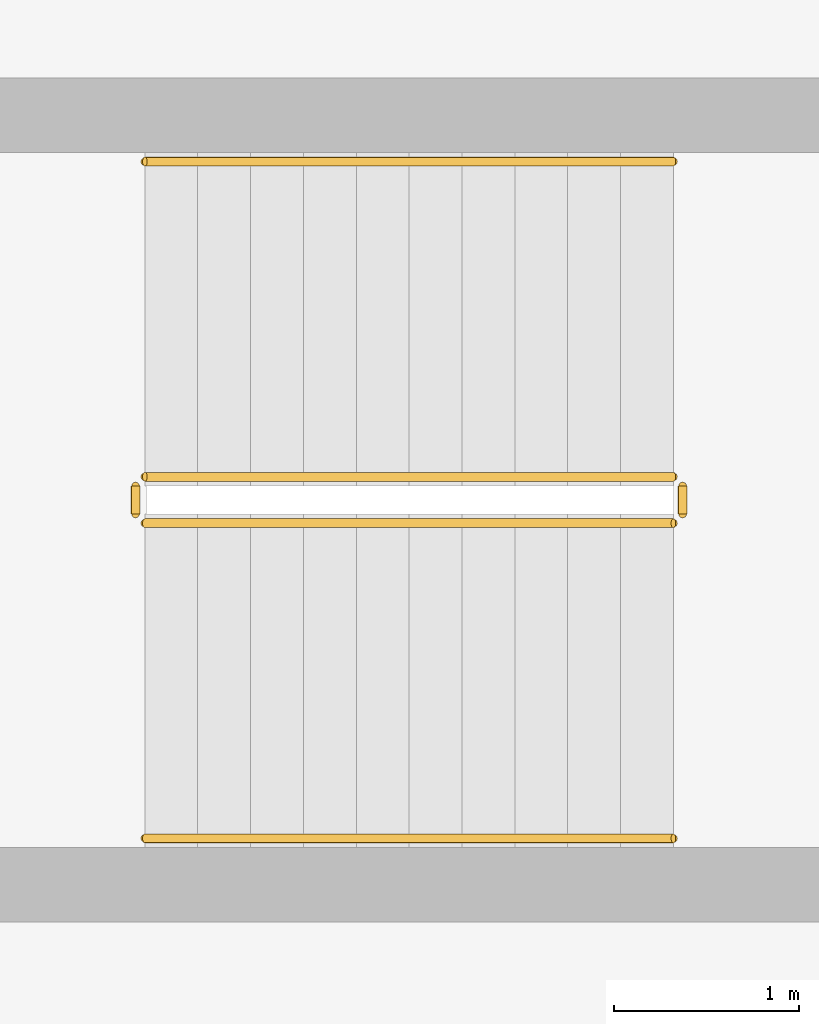
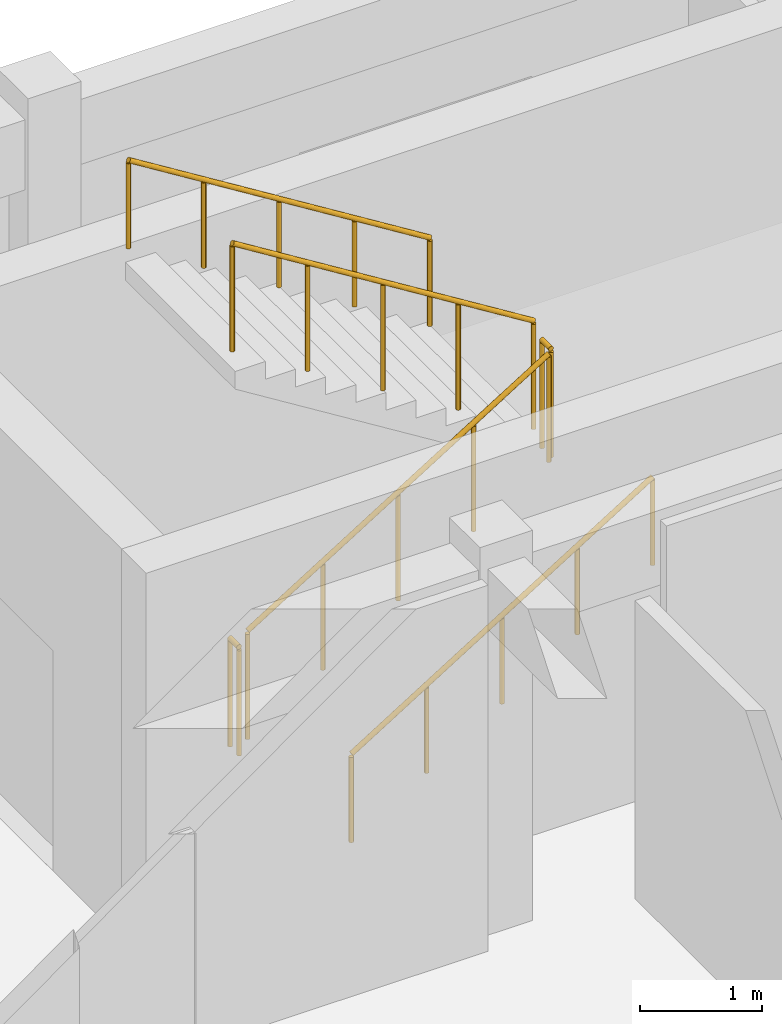
# One storey, part 6 of 6: 6 railings.
"""IFC4 building model written with IfcOpenShell, lengths in metres."""

from ifc_helpers import new_model, si_unit, direction, frame, origin, origin_2d, place, context, subcontext, project, spatial, circle, extrude, material, type_object, element, save


model = new_model("IFC4")

# Units and contexts
model_context = context("Model", 3, precision=1e-05, world=origin(), true_north=direction((0.0, 1.0)))
body_context = subcontext(model_context, "Body", "Model", "MODEL_VIEW")
ifc_project = project(units=[si_unit("LENGTHUNIT", "METRE"), si_unit("AREAUNIT", "SQUARE_METRE"), si_unit("VOLUMEUNIT", "CUBIC_METRE"), si_unit("PLANEANGLEUNIT", "RADIAN"), si_unit("MASSUNIT", "GRAM", prefix="KILO")], contexts=[model_context])

# Site, building, storey
site_placement = place(None, origin())
site = spatial("IfcSite", under=ifc_project, at=site_placement, CompositionType="ELEMENT")
building_placement = place(site_placement, origin())
building = spatial("IfcBuilding", under=site, at=building_placement, Name="Brisavento Harbour Community Centre", CompositionType="ELEMENT")
storey_placement = place(building_placement, frame((0.0, 0.0, 20.699951171875)))
storey = spatial("IfcBuildingStorey", under=building, at=storey_placement, Name="L05", CompositionType="ELEMENT", Elevation=20.699951171875)

# Railings
ifc_material = material(Name="Stainless steel 1.4401", Category="steel")
railing_type_1 = type_object("IfcRailingType", Name="RL-ST-GUARD", PredefinedType="GUARDRAIL", material=ifc_material)
railing_1_placement = place(storey_placement, frame((157.800048828125, 17.949951171875, 0.17724609375)))
element("IfcRailing", 1, at=railing_1_placement, inside=storey, type_object=railing_type_1, Name="L05 ST-05 stair guard 1", PredefinedType="GUARDRAIL", context=body_context, shape_type="SweptSolid", body=[
    extrude(circle(Radius=0.02392578125, at=origin_2d()), frame((0.0, 0.0, 1.076171875), z_axis=(0.849128380713, 0.0, 0.528186513523), x_axis=(0.0, 1.0, 0.0)), (0.0, 0.0, 1.0), 3.356201171875),
    extrude(circle(Radius=0.02099609375, at=origin_2d()), origin(), (0.0, 0.0, 1.0), 1.052001953125),
    extrude(circle(Radius=0.02099609375, at=origin_2d()), frame((0.71240234375, 0.0, 0.443115234375)), (0.0, 0.0, 1.0), 1.052001953125),
    extrude(circle(Radius=0.02099609375, at=origin_2d()), frame((1.4248046875, 0.0, 0.88623046875)), (0.0, 0.0, 1.0), 1.052001953125),
    extrude(circle(Radius=0.02099609375, at=origin_2d()), frame((2.137451171875, 0.0, 1.32958984375)), (0.0, 0.0, 1.0), 1.052001953125),
    extrude(circle(Radius=0.02099609375, at=origin_2d()), frame((2.849853515625, 0.0, 1.772705078125)), (0.0, 0.0, 1.0), 1.052001953125),
])
railing_2_placement = place(storey_placement, frame((160.699951171875, 18.0, 1.949951171875)))
element("IfcRailing", 2, at=railing_2_placement, inside=storey, type_object=railing_type_1, Name="L05 ST-05 stair guard 2", PredefinedType="GUARDRAIL", context=body_context, shape_type="SweptSolid", body=[
    extrude(circle(Radius=0.02392578125, at=origin_2d()), frame((0.0, 0.0, 1.076171875), z_axis=(0.0, 1.0, 0.0), x_axis=(-1.0, 0.0, 0.0)), (0.0, 0.0, 1.0), 0.14990234375),
    extrude(circle(Radius=0.02099609375, at=origin_2d()), origin(), (0.0, 0.0, 1.0), 1.052001953125),
    extrude(circle(Radius=0.02099609375, at=origin_2d()), frame((0.0, 0.14990234375, 0.0)), (0.0, 0.0, 1.0), 1.052001953125),
])
railing_3_placement = place(storey_placement, frame((160.64990234375, 18.199951171875, 2.12744140625)))
element("IfcRailing", 3, at=railing_3_placement, inside=storey, type_object=railing_type_1, Name="L05 ST-05 stair guard 3", PredefinedType="GUARDRAIL", context=body_context, shape_type="SweptSolid", body=[
    extrude(circle(Radius=0.02392578125, at=origin_2d()), frame((0.0, 0.0, 1.076171875), z_axis=(-0.849128380713, 0.0, 0.528186513523), x_axis=(0.0, -1.0, 0.0)), (0.0, 0.0, 1.0), 3.356201171875),
    extrude(circle(Radius=0.02099609375, at=origin_2d()), origin(), (0.0, 0.0, 1.0), 1.052001953125),
    extrude(circle(Radius=0.02099609375, at=origin_2d()), frame((-0.71240234375, 0.0, 0.443115234375)), (0.0, 0.0, 1.0), 1.052001953125),
    extrude(circle(Radius=0.02099609375, at=origin_2d()), frame((-1.4248046875, 0.0, 0.88623046875)), (0.0, 0.0, 1.0), 1.052001953125),
    extrude(circle(Radius=0.02099609375, at=origin_2d()), frame((-2.137451171875, 0.0, 1.32958984375)), (0.0, 0.0, 1.0), 1.052001953125),
    extrude(circle(Radius=0.02099609375, at=origin_2d()), frame((-2.849853515625, 0.0, 1.772705078125)), (0.0, 0.0, 1.0), 1.052001953125),
])
railing_4_placement = place(storey_placement, frame((157.75, 18.0, 0.0)))
element("IfcRailing", 4, at=railing_4_placement, inside=storey, type_object=railing_type_1, Name="L05 ST-05 stair guard 4", PredefinedType="GUARDRAIL", context=body_context, shape_type="SweptSolid", body=[
    extrude(circle(Radius=0.02392578125, at=origin_2d()), frame((0.0, 0.0, 1.076171875), z_axis=(0.0, 1.0, 0.0), x_axis=(-1.0, 0.0, 0.0)), (0.0, 0.0, 1.0), 0.14990234375),
    extrude(circle(Radius=0.02099609375, at=origin_2d()), origin(), (0.0, 0.0, 1.0), 1.052001953125),
    extrude(circle(Radius=0.02099609375, at=origin_2d()), frame((0.0, 0.14990234375, 0.0)), (0.0, 0.0, 1.0), 1.052001953125),
])
railing_type_2 = type_object("IfcRailingType", Name="RL-ST-HAND", PredefinedType="HANDRAIL", material=ifc_material)
railing_5_placement = place(storey_placement, frame((157.800048828125, 16.25, 0.17724609375)))
element("IfcRailing", 5, at=railing_5_placement, inside=storey, type_object=railing_type_2, Name="L05 ST-05 stair handrail 1", PredefinedType="HANDRAIL", context=body_context, shape_type="SweptSolid", body=[
    extrude(circle(Radius=0.02392578125, at=origin_2d()), frame((0.0, 0.0, 0.8759765625), z_axis=(0.849128380713, 0.0, 0.528186513523), x_axis=(0.0, 1.0, 0.0)), (0.0, 0.0, 1.0), 3.356201171875),
    extrude(circle(Radius=0.02099609375, at=origin_2d()), origin(), (0.0, 0.0, 1.0), 0.851806640625),
    extrude(circle(Radius=0.02099609375, at=origin_2d()), frame((0.71240234375, 0.0, 0.443115234375)), (0.0, 0.0, 1.0), 0.851806640625),
    extrude(circle(Radius=0.02099609375, at=origin_2d()), frame((1.4248046875, 0.0, 0.88623046875)), (0.0, 0.0, 1.0), 0.851806640625),
    extrude(circle(Radius=0.02099609375, at=origin_2d()), frame((2.137451171875, 0.0, 1.32958984375)), (0.0, 0.0, 1.0), 0.851806640625),
    extrude(circle(Radius=0.02099609375, at=origin_2d()), frame((2.849853515625, 0.0, 1.772705078125)), (0.0, 0.0, 1.0), 0.851806640625),
])
railing_6_placement = place(storey_placement, frame((160.64990234375, 19.89990234375, 2.12744140625)))
element("IfcRailing", 6, at=railing_6_placement, inside=storey, type_object=railing_type_2, Name="L05 ST-05 stair handrail 2", PredefinedType="HANDRAIL", context=body_context, shape_type="SweptSolid", body=[
    extrude(circle(Radius=0.02392578125, at=origin_2d()), frame((0.0, 0.0, 0.8759765625), z_axis=(-0.849128380713, 0.0, 0.528186513523), x_axis=(0.0, -1.0, 0.0)), (0.0, 0.0, 1.0), 3.356201171875),
    extrude(circle(Radius=0.02099609375, at=origin_2d()), origin(), (0.0, 0.0, 1.0), 0.851806640625),
    extrude(circle(Radius=0.02099609375, at=origin_2d()), frame((-0.71240234375, 0.0, 0.443115234375)), (0.0, 0.0, 1.0), 0.851806640625),
    extrude(circle(Radius=0.02099609375, at=origin_2d()), frame((-1.4248046875, 0.0, 0.88623046875)), (0.0, 0.0, 1.0), 0.851806640625),
    extrude(circle(Radius=0.02099609375, at=origin_2d()), frame((-2.137451171875, 0.0, 1.32958984375)), (0.0, 0.0, 1.0), 0.851806640625),
    extrude(circle(Radius=0.02099609375, at=origin_2d()), frame((-2.849853515625, 0.0, 1.772705078125)), (0.0, 0.0, 1.0), 0.851806640625),
])

save(model, "model.ifc")
